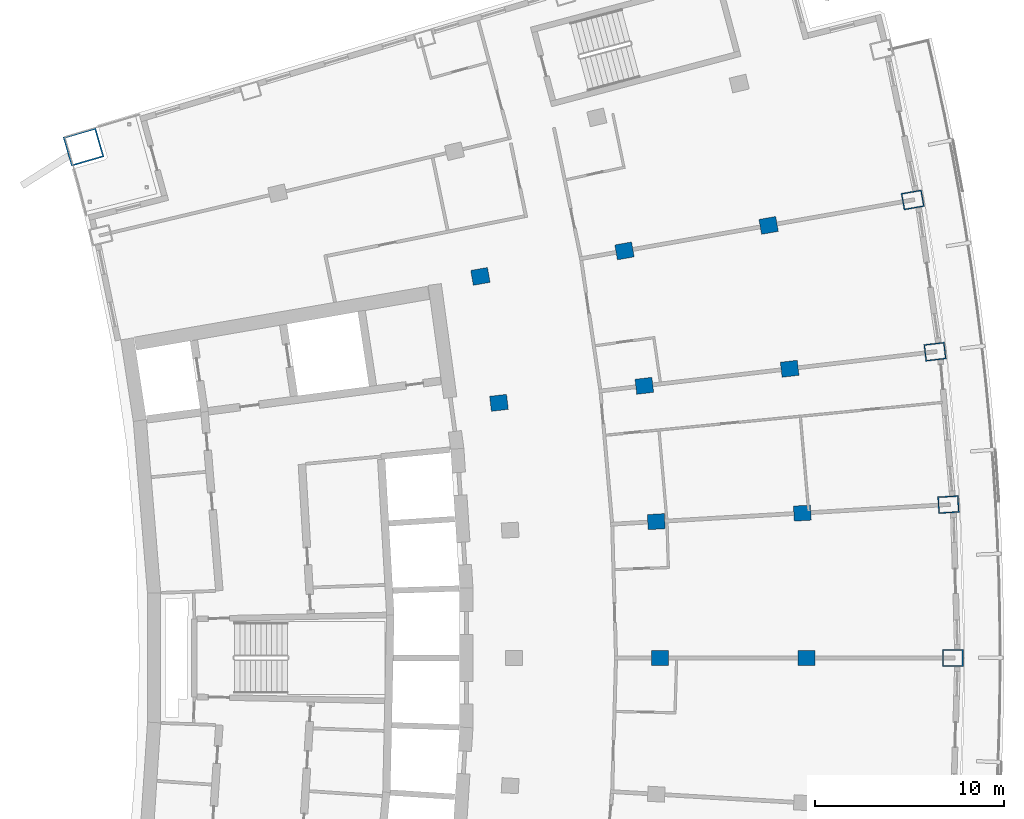
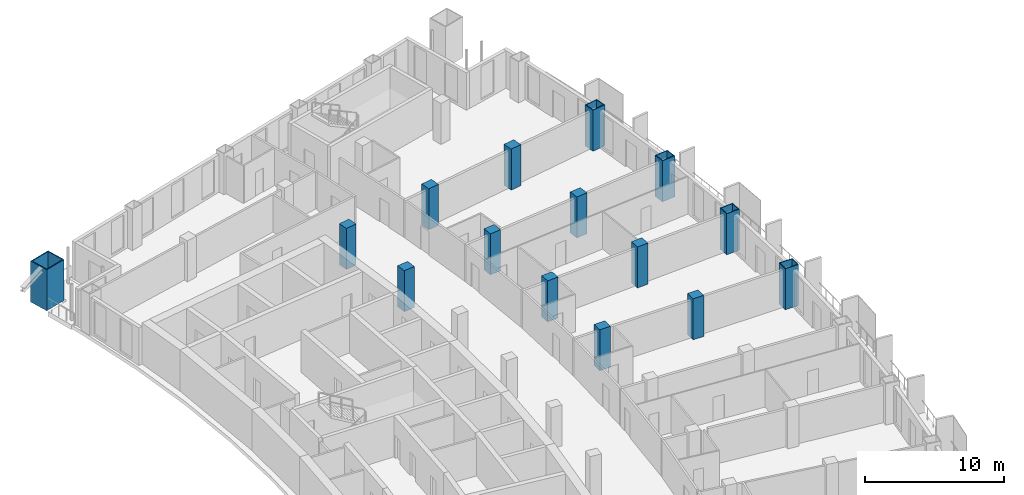
# One storey, part 6 of 19: 15 columns.
"""IFC4 building model written with IfcOpenShell, lengths in metres."""

from ifc_helpers import new_model, si_unit, direction, frame, origin, origin_2d, place, context, subcontext, project, spatial, rectangle, hollow_rectangle, extrude, material, material_profile, profile_set, type_object, element, save


model = new_model("IFC4")

# Units and contexts
model_context = context("Model", 3, precision=1e-05, world=origin(), true_north=direction((0.0, 1.0)))
body_context = subcontext(model_context, "Body", "Model", "MODEL_VIEW")
ifc_project = project(units=[si_unit("LENGTHUNIT", "METRE"), si_unit("AREAUNIT", "SQUARE_METRE"), si_unit("VOLUMEUNIT", "CUBIC_METRE"), si_unit("PLANEANGLEUNIT", "RADIAN"), si_unit("MASSUNIT", "GRAM", prefix="KILO")], contexts=[model_context])

# Site, building, storey
site_placement = place(None, origin())
site = spatial("IfcSite", under=ifc_project, at=site_placement, CompositionType="ELEMENT")
building_placement = place(site_placement, origin())
building = spatial("IfcBuilding", under=site, at=building_placement, Name="Alderwake Tower", CompositionType="ELEMENT")
storey_placement = place(building_placement, frame((0.0, 0.0, 174.800048828125)))
storey = spatial("IfcBuildingStorey", under=building, at=storey_placement, Name="L43", CompositionType="ELEMENT", Elevation=174.800048828125)

# Columns
ifc_material_1 = material(Name="Concrete C70/85", Category="concrete")
ifc_material_profile_1 = material_profile(ifc_material_1, rectangle(XDim=0.800048828125, YDim=0.89990234375, at=origin_2d()), Name="RC 900X800")
ifc_profile_set_1 = profile_set([ifc_material_profile_1], Name="Concrete C70/85")
column_type_1 = type_object("IfcColumnType", Name="Interior column Z3", PredefinedType="COLUMN", material=ifc_profile_set_1)
for number, where, z_axis, x_axis, name in (
    (1, (43.533203125, 61.0, 0.0), (0.0, 0.0, 1.0), (0.0, 1.0, 0.0), "Column R07-C3"),
    (2, (51.2666015625, 61.0, 0.0), (0.0, 0.0, 1.0), (0.0, 1.0, 0.0), "Column R07-C4"),
    (3, (43.3232421875, 68.201904296875, 0.0), (0.0, 0.0, 1.0), (-0.058299318924, 0.998299148258, 0.0), "Column R08-C3"),
    (4, (51.04345703125, 68.65283203125, 0.0), (0.0, 0.0, 1.0), (-0.058301061284, 0.998299046505, 0.0), "Column R08-C4"),
    (5, (35.0126953125, 74.4794921875, 0.0), (0.0, 0.0, 1.0), (-0.116402054316, 0.993202175668, 0.0), "Column R09-C2"),
    (6, (42.693603515625, 75.37939453125, 0.0), (0.0, 0.0, 1.0), (-0.116402054316, 0.993202175668, 0.0), "Column R09-C3"),
    (7, (50.37451171875, 76.27978515625, 0.0), (0.0, 0.0, 1.0), (-0.116402054316, 0.993202175668, 0.0), "Column R09-C4"),
    (8, (34.03125, 81.16162109375, 0.0), (0.0, 0.0, 1.0), (-0.174108800747, 0.984726421654, 0.0), "Column R10-C2"),
    (9, (41.646484375, 82.50830078125, 0.0), (0.0, 0.0, 1.0), (-0.174108800747, 0.984726421654, 0.0), "Column R10-C3"),
    (10, (49.26171875, 83.8544921875, 0.0), (0.0, 0.0, 1.0), (-0.174108800747, 0.984726421654, 0.0), "Column R10-C4"),
):
    element("IfcColumn", number, at=place(storey_placement, frame(where, z_axis=z_axis, x_axis=x_axis)), inside=storey, type_object=column_type_1, Name=name, PredefinedType="COLUMN", context=body_context, shape_type="SweptSolid", body=[
        extrude(rectangle(XDim=0.800048828125, YDim=0.89990234375, at=origin_2d()), origin(), (0.0, 0.0, 1.0), 3.599853515625),
    ])
ifc_material_2 = material(Name="Steel ASTM A572 Grade 50 concrete filled C70/85", Category="concrete")
ifc_material_profile_2 = material_profile(ifc_material_2, hollow_rectangle(XDim=1.60009765625, YDim=1.800048828125, WallThickness=0.080078125, at=origin_2d()), Name="BOX 1800X1600X80")
ifc_profile_set_2 = profile_set([ifc_material_profile_2], Name="Steel ASTM A572 Grade 50 concrete filled C70/85")
column_type_2 = type_object("IfcColumnType", Name="Mega column Z3", PredefinedType="COLUMN", material=ifc_profile_set_2)
column_placement = place(storey_placement, frame((13.06298828125, 87.99755859375, 0.0), z_axis=(0.0, 0.0, 1.0), x_axis=(-0.278612301868, 0.960403657452, 0.0)))
element("IfcColumn", 11, at=column_placement, inside=storey, type_object=column_type_2, Name="Column R12-C0", PredefinedType="COLUMN", context=body_context, shape_type="SweptSolid", body=[
    extrude(hollow_rectangle(XDim=1.60009765625, YDim=1.800048828125, WallThickness=0.080078125, at=origin_2d()), origin(), (0.0, 0.0, 1.0), 3.599853515625),
])
ifc_material_3 = material(Name="Steel ASTM A572 Grade 50 concrete filled C70/85", Category="concrete")
ifc_material_profile_3 = material_profile(ifc_material_3, hollow_rectangle(XDim=0.89990234375, YDim=1.10009765625, WallThickness=0.06005859375, at=origin_2d()), Name="BOX 1100X900X60")
ifc_profile_set_3 = profile_set([ifc_material_profile_3], Name="Steel ASTM A572 Grade 50 concrete filled C70/85")
column_type_3 = type_object("IfcColumnType", Name="Perimeter column Z3", PredefinedType="COLUMN", material=ifc_profile_set_3)
for number, where, z_axis, x_axis, name in (
    (12, (59.0, 61.0, 0.0), (0.0, 0.0, 1.0), (0.0, 1.0, 0.0), "Column R07-C5"),
    (13, (58.763671875, 69.103759765625, 0.0), (0.0, 0.0, 1.0), (-0.058299318924, 0.998299148258, 0.0), "Column R08-C5"),
    (14, (58.05517578125, 77.179931640625, 0.0), (0.0, 0.0, 1.0), (-0.116402054316, 0.993202175668, 0.0), "Column R09-C5"),
    (15, (56.876953125, 85.200927734375, 0.0), (0.0, 0.0, 1.0), (-0.174107082075, 0.984726725529, 0.0), "Column R10-C5"),
):
    element("IfcColumn", number, at=place(storey_placement, frame(where, z_axis=z_axis, x_axis=x_axis)), inside=storey, type_object=column_type_3, Name=name, PredefinedType="COLUMN", context=body_context, shape_type="SweptSolid", body=[
        extrude(hollow_rectangle(XDim=0.89990234375, YDim=1.10009765625, WallThickness=0.06005859375, at=origin_2d()), origin(), (0.0, 0.0, 1.0), 3.599853515625),
    ])

save(model, "model.ifc")
